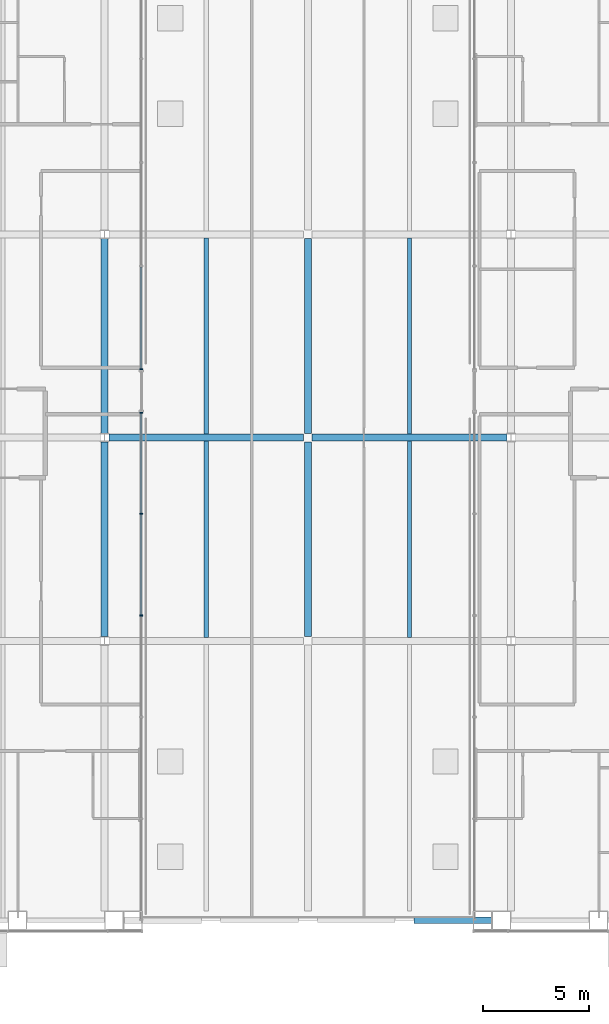
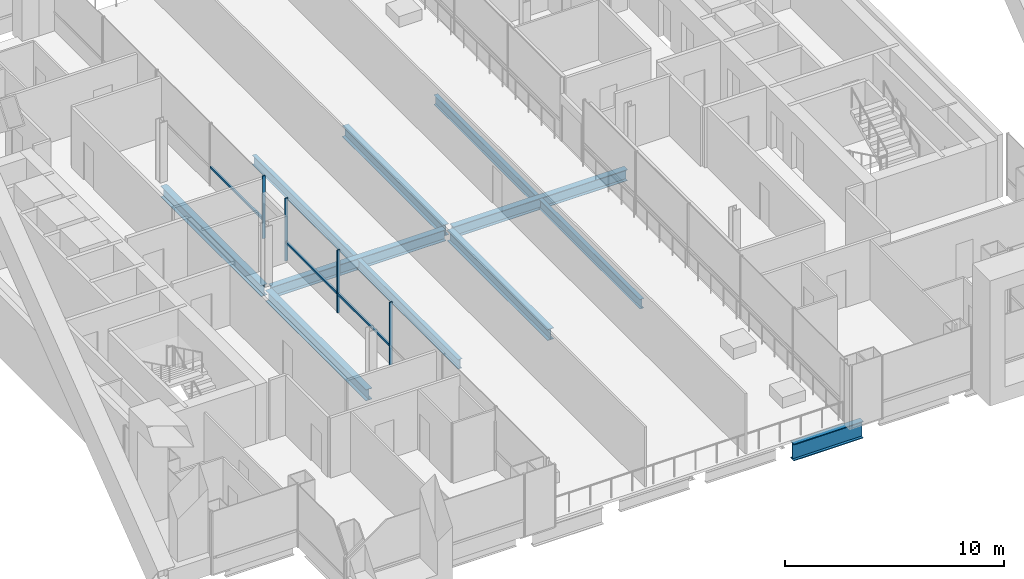
# One storey, part 5 of 20: 11 beams, 7 members, 2 elements without a shape of their own.
"""IFC4 building model written with IfcOpenShell, lengths in metres."""

from ifc_helpers import new_model, si_unit, direction, frame, origin, origin_2d, place, context, subcontext, project, spatial, rectangle, i_section, extrude, material, material_profile, profile_set, type_object, element, aggregate, save


model = new_model("IFC4")

# Units and contexts
model_context = context("Model", 3, precision=1e-05, world=origin(), true_north=direction((0.0, 1.0)))
body_context = subcontext(model_context, "Body", "Model", "MODEL_VIEW")
ifc_project = project(units=[si_unit("LENGTHUNIT", "METRE"), si_unit("AREAUNIT", "SQUARE_METRE"), si_unit("VOLUMEUNIT", "CUBIC_METRE"), si_unit("PLANEANGLEUNIT", "RADIAN"), si_unit("MASSUNIT", "GRAM", prefix="KILO")], contexts=[model_context])

# Site, building, storey
site_placement = place(None, origin())
site = spatial("IfcSite", under=ifc_project, at=site_placement, CompositionType="ELEMENT")
building_placement = place(site_placement, origin())
building = spatial("IfcBuilding", under=site, at=building_placement, Name="Cobrizo Arcos Hotel Tower", CompositionType="ELEMENT")
storey_placement = place(building_placement, frame((0.0, 0.0, 117.0)))
storey = spatial("IfcBuildingStorey", under=building, at=storey_placement, Name="L29", CompositionType="ELEMENT", Elevation=117.0)

# Curtain wall, member
ifc_material_1 = material(Name="Aluminium 6063-T6 anodised bronze", Category="aluminium")
curtain_wall_type = type_object("IfcCurtainWallType", Name="CW-F void screen", PredefinedType="NOTDEFINED", material=ifc_material_1)
curtain_wall_1_placement = place(storey_placement, origin())
curtain_wall_1 = element("IfcCurtainWall", 1, at=curtain_wall_1_placement, inside=storey, type_object=curtain_wall_type, Name="CW-F L29 void screen B", PredefinedType="NOTDEFINED")
ifc_material_profile_1 = material_profile(ifc_material_1, rectangle(XDim=0.14990234375, YDim=0.06005859375, at=origin_2d()), Name="CW-F mullion 150x60")
ifc_profile_set_1 = profile_set([ifc_material_profile_1], Name="Aluminium 6063-T6 anodised bronze")
member_type_1 = type_object("IfcMemberType", Name="CW-F mullion 150x60", PredefinedType="MULLION", material=ifc_profile_set_1)
member_1_placement = place(storey_placement, frame((-7.875, 3.22998046875, 0.0), z_axis=(0.0, 0.0, 1.0), x_axis=(-1.0, 0.0, 0.0)))
member_1 = element("IfcMember", 2, at=member_1_placement, type_object=member_type_1, Name="CW-F mullion 5", PredefinedType="MULLION", context=body_context, shape_type="SweptSolid", body=[
    extrude(rectangle(XDim=0.14990234375, YDim=0.06005859375, at=origin_2d()), origin(), (0.0, 0.0, 1.0), 3.5),
])

# Curtain wall, members
curtain_wall_2_placement = place(storey_placement, origin())
curtain_wall_2 = element("IfcCurtainWall", 3, at=curtain_wall_2_placement, inside=storey, type_object=curtain_wall_type, Name="CW-F L29 void screen B", PredefinedType="NOTDEFINED")
member_2_placement = place(storey_placement, frame((-7.875, 1.169921875, 0.0), z_axis=(0.0, 0.0, 1.0), x_axis=(-1.0, 0.0, 0.0)))
member_2 = element("IfcMember", 4, at=member_2_placement, type_object=member_type_1, Name="CW-F mullion 1", PredefinedType="MULLION", context=body_context, shape_type="SweptSolid", body=[
    extrude(rectangle(XDim=0.14990234375, YDim=0.06005859375, at=origin_2d()), origin(), (0.0, 0.0, 1.0), 3.5),
])
member_3_placement = place(storey_placement, frame((-7.875, -3.60009765625, 0.0), z_axis=(0.0, 0.0, 1.0), x_axis=(-1.0, 0.0, 0.0)))
member_3 = element("IfcMember", 5, at=member_3_placement, type_object=member_type_1, Name="CW-F mullion 2", PredefinedType="MULLION", context=body_context, shape_type="SweptSolid", body=[
    extrude(rectangle(XDim=0.14990234375, YDim=0.06005859375, at=origin_2d()), origin(), (0.0, 0.0, 1.0), 3.5),
])
member_4_placement = place(storey_placement, frame((-7.875, -8.39990234375, 0.0), z_axis=(0.0, 0.0, 1.0), x_axis=(-1.0, 0.0, 0.0)))
member_4 = element("IfcMember", 6, at=member_4_placement, type_object=member_type_1, Name="CW-F mullion 3", PredefinedType="MULLION", context=body_context, shape_type="SweptSolid", body=[
    extrude(rectangle(XDim=0.14990234375, YDim=0.06005859375, at=origin_2d()), origin(), (0.0, 0.0, 1.0), 3.5),
])

# Member
ifc_material_profile_2 = material_profile(ifc_material_1, rectangle(XDim=0.10009765625, YDim=0.1201171875, at=origin_2d()), Name="CW-F transom 120x100")
ifc_profile_set_2 = profile_set([ifc_material_profile_2], Name="Aluminium 6063-T6 anodised bronze")
member_type_2 = type_object("IfcMemberType", Name="CW-F transom 120x100", PredefinedType="USERDEFINED", material=ifc_profile_set_2)
member_5_placement = place(storey_placement, frame((-7.875, 8.070068359375, 1.050048828125), z_axis=(0.0, -1.0, 0.0), x_axis=(1.0, 0.0, 0.0)))
member_5 = element("IfcMember", 7, at=member_5_placement, type_object=member_type_2, Name="CW-F transom 2580", ObjectType="TRANSOM", PredefinedType="USERDEFINED", context=body_context, shape_type="SweptSolid", body=[
    extrude(rectangle(XDim=0.10009765625, YDim=0.1201171875, at=origin_2d()), origin(), (0.0, 0.0, 1.0), 4.81005859375),
])

aggregate(curtain_wall_1, [member_1, member_5])

member_6_placement = place(storey_placement, frame((-7.875, 1.139892578125, 1.050048828125), z_axis=(0.0, -1.0, 0.0), x_axis=(1.0, 0.0, 0.0)))
member_6 = element("IfcMember", 8, at=member_6_placement, type_object=member_type_2, Name="CW-F transom 2581", ObjectType="TRANSOM", PredefinedType="USERDEFINED", context=body_context, shape_type="SweptSolid", body=[
    extrude(rectangle(XDim=0.10009765625, YDim=0.1201171875, at=origin_2d()), origin(), (0.0, 0.0, 1.0), 4.7099609375),
])

member_7_placement = place(storey_placement, frame((-7.875, -3.6298828125, 1.050048828125), z_axis=(0.0, -1.0, 0.0), x_axis=(1.0, 0.0, 0.0)))
member_7 = element("IfcMember", 9, at=member_7_placement, type_object=member_type_2, Name="CW-F transom 2582", ObjectType="TRANSOM", PredefinedType="USERDEFINED", context=body_context, shape_type="SweptSolid", body=[
    extrude(rectangle(XDim=0.10009765625, YDim=0.1201171875, at=origin_2d()), origin(), (0.0, 0.0, 1.0), 4.740234375),
])

aggregate(curtain_wall_2, [member_2, member_3, member_4, member_6, member_7])

# Beams
ifc_material_2 = material(Name="Steel ASTM A992 Grade 50", Category="steel")
ifc_material_profile_3 = material_profile(ifc_material_2, i_section(OverallWidth=0.209228515625, OverallDepth=0.533447265625, WebThickness=0.01025390625, FlangeThickness=0.015625, at=origin_2d()), Name="W21X62")
ifc_profile_set_3 = profile_set([ifc_material_profile_3], Name="Steel ASTM A992 Grade 50")
beam_type_1 = type_object("IfcBeamType", Name="W21X62 joist", PredefinedType="JOIST", material=ifc_profile_set_3)
for number, where, z_axis, x_axis, name in (
    (10, (-4.800048828125, -9.43603515625, -0.416748046875), (0.0, 1.0, 0.0), (-1.0, 0.0, 0.0), "Floor joist J1, L29, no. 008"),
    (11, (-4.800048828125, 0.163818359375, -0.416748046875), (0.0, 1.0, 0.0), (-1.0, 0.0, 0.0), "Floor joist J1, L29, no. 009"),
    (12, (4.800048828125, -9.43603515625, -0.416748046875), (0.0, 1.0, 0.0), (-1.0, 0.0, 0.0), "Floor joist J1, L29, no. 012"),
    (13, (4.800048828125, 0.163818359375, -0.416748046875), (0.0, 1.0, 0.0), (-1.0, 0.0, 0.0), "Floor joist J1, L29, no. 013"),
):
    element("IfcBeam", number, at=place(storey_placement, frame(where, z_axis=z_axis, x_axis=x_axis)), inside=storey, type_object=beam_type_1, Name=name, PredefinedType="JOIST", context=body_context, shape_type="SweptSolid", body=[
        extrude(i_section(OverallWidth=0.209228515625, OverallDepth=0.533447265625, WebThickness=0.01025390625, FlangeThickness=0.015625, at=origin_2d()), origin(), (0.0, 0.0, 1.0), 9.272216796875),
    ])
ifc_material_profile_4 = material_profile(ifc_material_2, i_section(OverallWidth=0.32763671875, OverallDepth=0.622314453125, WebThickness=0.015380859375, FlangeThickness=0.0244140625, at=origin_2d()), Name="W24X131")
ifc_profile_set_4 = profile_set([ifc_material_profile_4], Name="Steel ASTM A992 Grade 50")
beam_type_2 = type_object("IfcBeamType", Name="W24X131 girder", PredefinedType="BEAM", material=ifc_profile_set_4)
for number, where, z_axis, x_axis, name in (
    (14, (-9.400634765625, 0.0, -0.461181640625), (1.0, 0.0, 0.0), (0.0, 1.0, 0.0), "Floor girder G1, L29, no. 006"),
    (15, (0.199462890625, 0.0, -0.461181640625), (1.0, 0.0, 0.0), (0.0, 1.0, 0.0), "Floor girder G1, L29, no. 007"),
    (16, (-9.60009765625, -9.400634765625, -0.461181640625), (0.0, 1.0, 0.0), (-1.0, 0.0, 0.0), "Floor girder G1, L29, no. 014"),
    (17, (-9.60009765625, 0.199462890625, -0.461181640625), (0.0, 1.0, 0.0), (-1.0, 0.0, 0.0), "Floor girder G1, L29, no. 015"),
    (18, (0.0, -9.400634765625, -0.461181640625), (0.0, 1.0, 0.0), (-1.0, 0.0, 0.0), "Floor girder G1, L29, no. 018"),
    (19, (0.0, 0.199462890625, -0.461181640625), (0.0, 1.0, 0.0), (-1.0, 0.0, 0.0), "Floor girder G1, L29, no. 019"),
):
    element("IfcBeam", number, at=place(storey_placement, frame(where, z_axis=z_axis, x_axis=x_axis)), inside=storey, type_object=beam_type_2, Name=name, PredefinedType="BEAM", context=body_context, shape_type="SweptSolid", body=[
        extrude(i_section(OverallWidth=0.32763671875, OverallDepth=0.622314453125, WebThickness=0.015380859375, FlangeThickness=0.0244140625, at=origin_2d()), origin(), (0.0, 0.0, 1.0), 9.201171875),
    ])
ifc_material_profile_5 = material_profile(ifc_material_2, i_section(OverallWidth=0.307373046875, OverallDepth=0.9423828125, WebThickness=0.022216796875, FlangeThickness=0.039794921875, at=origin_2d()), Name="W36X232")
ifc_profile_set_5 = profile_set([ifc_material_profile_5], Name="Steel ASTM A992 Grade 50")
beam_type_3 = type_object("IfcBeamType", Name="W36X232 spandrel transfer", PredefinedType="BEAM", material=ifc_profile_set_5)
beam_placement = place(storey_placement, frame((5.02490234375, -22.800048828125, -0.62109375), z_axis=(1.0, 0.0, 0.0), x_axis=(0.0, 1.0, 0.0)))
element("IfcBeam", 20, at=beam_placement, inside=storey, type_object=beam_type_3, Name="Spandrel transfer beam ST1, L29, no. 002", PredefinedType="BEAM", context=body_context, shape_type="SweptSolid", body=[
    extrude(i_section(OverallWidth=0.307373046875, OverallDepth=0.9423828125, WebThickness=0.022216796875, FlangeThickness=0.039794921875, at=origin_2d()), origin(), (0.0, 0.0, 1.0), 3.675048828125),
])

save(model, "model.ifc")
